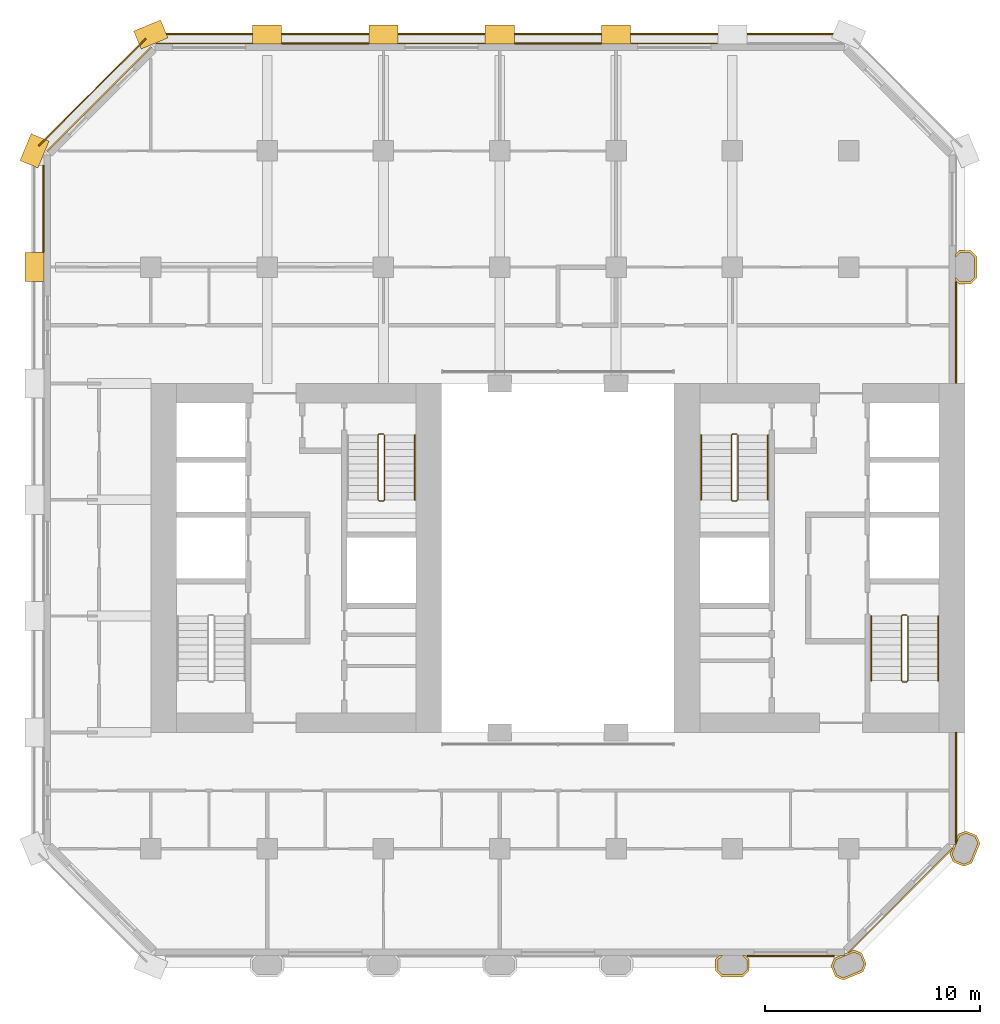
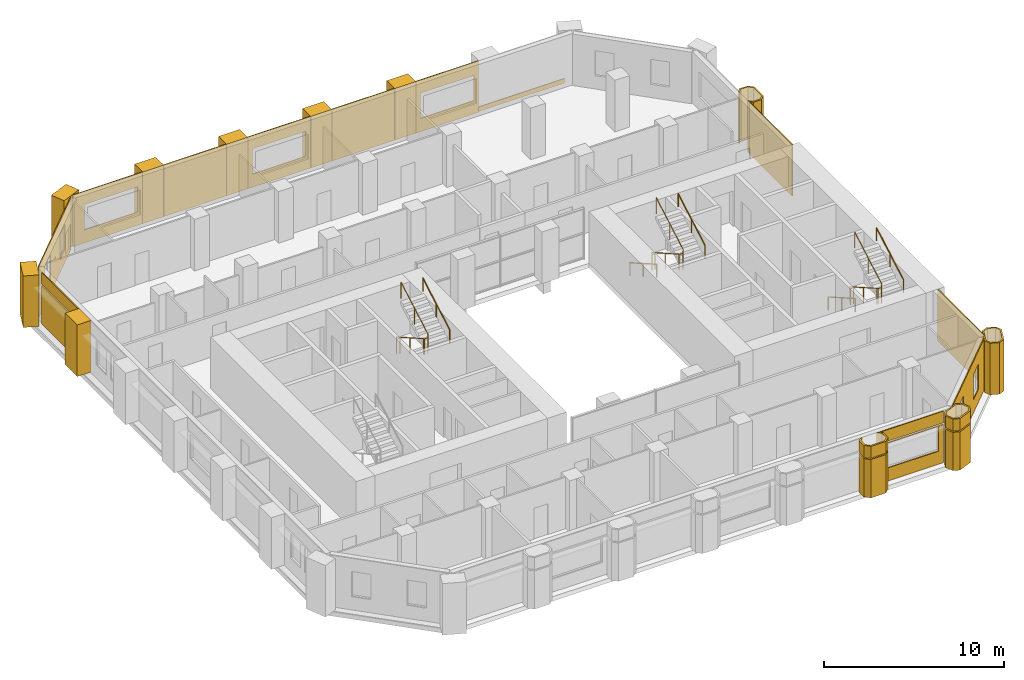
# One storey, part 12 of 13: 28 coverings, 8 railings.
"""IFC4 building model written with IfcOpenShell, lengths in metres."""

from ifc_helpers import new_model, si_unit, direction, frame, frame_2d, origin, origin_2d, place, context, subcontext, project, spatial, polyline, rectangle, circle, outline, extrude, material, layer, layer_set, type_object, element, save


model = new_model("IFC4")

# Units and contexts
model_context = context("Model", 3, precision=1e-05, world=origin(), true_north=direction((0.0, 1.0)))
body_context = subcontext(model_context, "Body", "Model", "MODEL_VIEW")
ifc_project = project(units=[si_unit("LENGTHUNIT", "METRE"), si_unit("AREAUNIT", "SQUARE_METRE"), si_unit("VOLUMEUNIT", "CUBIC_METRE"), si_unit("PLANEANGLEUNIT", "RADIAN"), si_unit("MASSUNIT", "GRAM", prefix="KILO")], contexts=[model_context])

# Site, building, storey
site_placement = place(None, origin())
site = spatial("IfcSite", under=ifc_project, at=site_placement, CompositionType="ELEMENT")
building_placement = place(site_placement, origin())
building = spatial("IfcBuilding", under=site, at=building_placement, Name="Tabaq Tower and Sports Hall", CompositionType="ELEMENT")
storey_placement = place(building_placement, frame((0.0, 0.0, 106.800048828125)))
storey = spatial("IfcBuildingStorey", under=building, at=storey_placement, Name="L25", CompositionType="ELEMENT", Elevation=106.800048828125)

# Coverings
ifc_material_1 = material(Name="Precast concrete C60/75", Category="concrete")
ifc_layer_1 = layer(ifc_material_1, 0.10009765625)
ifc_layer_set_1 = layer_set([ifc_layer_1], Name="Column cladding 100")
covering_type_1 = type_object("IfcCoveringType", Name="Column cladding 100", PredefinedType="CLADDING", material=ifc_layer_set_1)
covering_1_placement = place(storey_placement, origin())
element("IfcCovering", 1, at=covering_1_placement, inside=storey, type_object=covering_type_1, Name="Column cladding L25 PC-7B-O3", PredefinedType="CLADDING", context=body_context, shape_type="SweptSolid", body=[
    extrude(outline(polyline([(31.625244140625, 5.666259765625), (31.80859375, 5.849609375), (31.94921875, 5.849609375), (31.724609375, 5.625244140625), (31.724609375, 5.1748046875), (31.949951171875, 4.94970703125), (32.85009765625, 4.94970703125), (33.0751953125, 5.1748046875), (33.0751953125, 5.625244140625), (32.850830078125, 5.849609375), (32.9912109375, 5.849609375), (33.1748046875, 5.666259765625), (33.1748046875, 5.1337890625), (32.891357421875, 4.850341796875), (31.90869140625, 4.850341796875), (31.625244140625, 5.1337890625), (31.625244140625, 5.666259765625)])), origin(), (0.0, 0.0, 1.0), 2.599853515625),
])
covering_2_placement = place(storey_placement, frame((0.0, 0.0, 2.699951171875)))
element("IfcCovering", 2, at=covering_2_placement, inside=storey, type_object=covering_type_1, Name="Column cladding L25 PC-7B-O3 2", PredefinedType="CLADDING", context=body_context, shape_type="SweptSolid", body=[
    extrude(outline(polyline([(31.625244140625, 5.666259765625), (31.80859375, 5.849609375), (31.94921875, 5.849609375), (31.724609375, 5.625244140625), (31.724609375, 5.1748046875), (31.949951171875, 4.94970703125), (32.85009765625, 4.94970703125), (33.0751953125, 5.1748046875), (33.0751953125, 5.625244140625), (32.850830078125, 5.849609375), (32.9912109375, 5.849609375), (33.1748046875, 5.666259765625), (33.1748046875, 5.1337890625), (32.891357421875, 4.850341796875), (31.90869140625, 4.850341796875), (31.625244140625, 5.1337890625), (31.625244140625, 5.666259765625)])), origin(), (0.0, 0.0, 1.0), 0.800048828125),
])
covering_3_placement = place(storey_placement, origin())
element("IfcCovering", 3, at=covering_3_placement, inside=storey, type_object=covering_type_1, Name="Column cladding L25 PC-8B-O3", PredefinedType="CLADDING", context=body_context, shape_type="SweptSolid", body=[
    extrude(outline(polyline([(36.982421875, 5.349609375), (37.1357421875, 5.7197265625), (37.44921875, 5.849609375), (37.614013671875, 5.849609375), (37.614013671875, 5.91796875), (37.767578125, 5.9814453125), (37.799072265625, 5.9501953125), (37.875, 6.026123046875), (38.04345703125, 6.095947265625), (38.413818359375, 5.9423828125), (38.61767578125, 5.450439453125), (38.46435546875, 5.080078125), (37.556396484375, 4.7041015625), (37.186279296875, 4.857421875), (36.982421875, 5.349609375)]), holes=[polyline([(38.510009765625, 5.450439453125), (38.337646484375, 5.866455078125), (38.04345703125, 5.98828125), (37.2119140625, 5.643798828125), (37.08984375, 5.349609375), (37.26220703125, 4.93359375), (37.556396484375, 4.811767578125), (38.38818359375, 5.15625), (38.510009765625, 5.450439453125)])]), origin(), (0.0, 0.0, 1.0), 2.599853515625),
])
covering_4_placement = place(storey_placement, frame((0.0, 0.0, 2.699951171875)))
element("IfcCovering", 4, at=covering_4_placement, inside=storey, type_object=covering_type_1, Name="Column cladding L25 PC-8B-O3 2", PredefinedType="CLADDING", context=body_context, shape_type="SweptSolid", body=[
    extrude(outline(polyline([(36.982421875, 5.349609375), (37.1357421875, 5.7197265625), (37.44921875, 5.849609375), (37.614013671875, 5.849609375), (37.614013671875, 5.91796875), (37.767578125, 5.9814453125), (37.799072265625, 5.9501953125), (37.875, 6.026123046875), (38.04345703125, 6.095947265625), (38.413818359375, 5.9423828125), (38.61767578125, 5.450439453125), (38.46435546875, 5.080078125), (37.556396484375, 4.7041015625), (37.186279296875, 4.857421875), (36.982421875, 5.349609375)]), holes=[polyline([(38.510009765625, 5.450439453125), (38.337646484375, 5.866455078125), (38.04345703125, 5.98828125), (37.2119140625, 5.643798828125), (37.08984375, 5.349609375), (37.26220703125, 4.93359375), (37.556396484375, 4.811767578125), (38.38818359375, 5.15625), (38.510009765625, 5.450439453125)])]), origin(), (0.0, 0.0, 1.0), 0.800048828125),
])
covering_5_placement = place(storey_placement, origin())
element("IfcCovering", 5, at=covering_5_placement, inside=storey, type_object=covering_type_1, Name="Column cladding L25 PC-9C-O3", PredefinedType="CLADDING", context=body_context, shape_type="SweptSolid", body=[
    extrude(outline(polyline([(42.657470703125, 10.186279296875), (42.504150390625, 10.556396484375), (42.573974609375, 10.72509765625), (42.64990234375, 10.801025390625), (42.618408203125, 10.83251953125), (42.68212890625, 10.986083984375), (42.750244140625, 10.986083984375), (42.750244140625, 11.04296875), (42.810302734375, 11.04296875), (42.810302734375, 11.295654296875), (42.880126953125, 11.46435546875), (43.25048828125, 11.61767578125), (43.742431640625, 11.413818359375), (43.895751953125, 11.04345703125), (43.519775390625, 10.1357421875), (43.149658203125, 9.982421875), (42.657470703125, 10.186279296875)]), holes=[polyline([(43.66650390625, 11.337646484375), (43.25048828125, 11.510009765625), (42.956298828125, 11.38818359375), (42.61181640625, 10.556396484375), (42.733642578125, 10.26220703125), (43.149658203125, 10.08984375), (43.44384765625, 10.2119140625), (43.788330078125, 11.04345703125), (43.66650390625, 11.337646484375)])]), origin(), (0.0, 0.0, 1.0), 3.5),
])
covering_6_placement = place(storey_placement, origin())
element("IfcCovering", 6, at=covering_6_placement, inside=storey, type_object=covering_type_1, Name="Column cladding L25 PC-9H-O3", PredefinedType="CLADDING", context=body_context, shape_type="SweptSolid", body=[
    extrude(outline(polyline([(42.93359375, 37.025390625), (42.750244140625, 37.208740234375), (42.750244140625, 37.349365234375), (42.974853515625, 37.124755859375), (43.425048828125, 37.124755859375), (43.650390625, 37.349853515625), (43.650390625, 38.250244140625), (43.425048828125, 38.475341796875), (42.974853515625, 38.475341796875), (42.750244140625, 38.250732421875), (42.750244140625, 38.391357421875), (42.93359375, 38.57470703125), (43.46630859375, 38.57470703125), (43.749755859375, 38.291259765625), (43.749755859375, 37.30859375), (43.46630859375, 37.025390625), (42.93359375, 37.025390625)])), origin(), (0.0, 0.0, 1.0), 3.5),
])
ifc_material_2 = material(Name="Precast concrete C60/75", Category="concrete")
ifc_layer_2 = layer(ifc_material_2, 0.06005859375)
ifc_layer_set_2 = layer_set([ifc_layer_2], Name="Edge beam cladding 60")
covering_type_2 = type_object("IfcCoveringType", Name="Edge beam cladding 60", PredefinedType="CLADDING", material=ifc_layer_set_2)
covering_7_placement = place(storey_placement, frame((37.50146484375, 48.6298828125, -0.300048828125), z_axis=(0.0, 0.0, 1.0), x_axis=(-1.0, 0.0, 0.0)))
element("IfcCovering", 7, at=covering_7_placement, inside=storey, type_object=covering_type_2, Name="Edge beam cladding L25 2", PredefinedType="CLADDING", context=body_context, shape_type="SweptSolid", body=[
    extrude(rectangle(XDim=31.802978515625, YDim=0.06005859375, at=frame_2d((15.9013671875, 0.0))), origin(), (0.0, 0.0, 1.0), 0.300048828125),
])
covering_8_placement = place(storey_placement, frame((5.167724609375, 48.41015625, -0.300048828125), z_axis=(0.0, 0.0, 1.0), x_axis=(-0.707106781187, -0.707106781187, 0.0)))
element("IfcCovering", 8, at=covering_8_placement, inside=storey, type_object=covering_type_2, Name="Edge beam cladding L25 3", PredefinedType="CLADDING", context=body_context, shape_type="SweptSolid", body=[
    extrude(rectangle(XDim=7.03955078125, YDim=0.06005859375, at=frame_2d((3.519775390625, 0.0))), origin(), (0.0, 0.0, 1.0), 0.300048828125),
])
ifc_material_3 = material(Name="White precast concrete C60/75", Category="concrete")
covering_type_3 = type_object("IfcCoveringType", Name="Pier cladding hung 1350x900", PredefinedType="CLADDING", material=ifc_material_3)
for number, where, z_axis, x_axis, name in (
    (9, (0.0, 38.47509765625, 0.0), (0.0, 0.0, 1.0), (0.0, -1.0, 0.0), "Hung pier cladding 0/7"),
    (10, (0.25830078125, 43.82373046875, 0.0), (0.0, 0.0, 1.0), (-0.382649923473, -0.923893411637, 0.0), "Hung pier cladding 0/8"),
    (11, (6.023681640625, 48.8583984375, 0.0), (0.0, 0.0, 1.0), (-0.923893411637, -0.382649923473, 0.0), "Hung pier cladding 1/9"),
    (12, (11.47509765625, 48.60009765625, 0.0), (0.0, 0.0, 1.0), (-1.0, 0.0, 0.0), "Hung pier cladding 2/9"),
    (13, (16.875, 48.60009765625, 0.0), (0.0, 0.0, 1.0), (-1.0, 0.0, 0.0), "Hung pier cladding 3/9"),
):
    element("IfcCovering", number, at=place(storey_placement, frame(where, z_axis=z_axis, x_axis=x_axis)), inside=storey, type_object=covering_type_3, Name=name, PredefinedType="CLADDING", context=body_context, shape_type="SweptSolid", body=[
        extrude(rectangle(XDim=1.35009765625, YDim=0.89990234375, at=frame_2d((0.675048828125, 0.0))), origin(), (0.0, 0.0, 1.0), 3.5),
    ])
covering_9_placement = place(storey_placement, frame((22.27490234375, 48.60009765625, 0.0), z_axis=(0.0, 0.0, 1.0), x_axis=(-1.0, 0.0, 0.0)))
element("IfcCovering", 14, at=covering_9_placement, inside=storey, type_object=covering_type_3, Name="Hung pier cladding 4/9", PredefinedType="CLADDING", context=body_context, shape_type="SweptSolid", body=[
    extrude(rectangle(XDim=1.349853515625, YDim=0.89990234375, at=frame_2d((0.6748046875, 0.0))), origin(), (0.0, 0.0, 1.0), 3.5),
])
covering_10_placement = place(storey_placement, frame((27.675048828125, 48.60009765625, 0.0), z_axis=(0.0, 0.0, 1.0), x_axis=(-1.0, 0.0, 0.0)))
element("IfcCovering", 15, at=covering_10_placement, inside=storey, type_object=covering_type_3, Name="Hung pier cladding 5/9", PredefinedType="CLADDING", context=body_context, shape_type="SweptSolid", body=[
    extrude(rectangle(XDim=1.35009765625, YDim=0.89990234375, at=frame_2d((0.675048828125, 0.0))), origin(), (0.0, 0.0, 1.0), 3.5),
])

# Railings
ifc_material_4 = material(Name="Stainless steel", Category="steel")
railing_type_1 = type_object("IfcRailingType", Name="Stair guard", PredefinedType="GUARDRAIL", material=ifc_material_4)
railing_1_placement = place(storey_placement, frame((16.199951171875, 30.050048828125, 0.0)))
element("IfcRailing", 16, at=railing_1_placement, inside=storey, type_object=railing_type_1, Name="L25 ST2 stair guard 1", PredefinedType="GUARDRAIL", context=body_context, shape_type="SweptSolid", body=[
    extrude(circle(Radius=0.02392578125, at=origin_2d()), frame((0.0, 0.0, 1.076171875), z_axis=(-1.0, 0.0, 0.0), x_axis=(0.0, -1.0, 0.0)), (0.0, 0.0, 1.0), 0.199951171875),
    extrude(circle(Radius=0.02392578125, at=origin_2d()), frame((-0.199951171875, 0.0, 1.076171875), z_axis=(-0.246910188598, -0.246910188598, 0.937054276727), x_axis=(0.707106781187, -0.707106781187, 0.0)), (0.0, 0.0, 1.0), 0.20263671875),
    extrude(circle(Radius=0.02392578125, at=origin_2d()), frame((-0.25, -0.050048828125, 1.26611328125), z_axis=(0.0, -0.868782136927, 0.495194505781), x_axis=(1.0, 0.0, 0.0)), (0.0, 0.0, 1.0), 3.453125),
    extrude(circle(Radius=0.02392578125, at=origin_2d()), frame((-0.25, -3.050048828125, 2.97607421875), z_axis=(0.707106781187, -0.707106781187, 0.0), x_axis=(0.707106781187, 0.707106781187, 0.0)), (0.0, 0.0, 1.0), 0.07080078125),
    extrude(circle(Radius=0.02392578125, at=origin_2d()), frame((-0.199951171875, -3.10009765625, 2.97607421875), z_axis=(1.0, 0.0, 0.0), x_axis=(0.0, 1.0, 0.0)), (0.0, 0.0, 1.0), 0.199951171875),
    extrude(circle(Radius=0.02392578125, at=origin_2d()), frame((0.0, -3.10009765625, 2.97607421875), z_axis=(0.246910188598, 0.246910188598, 0.937054276727), x_axis=(-0.707106781187, 0.707106781187, 0.0)), (0.0, 0.0, 1.0), 0.20263671875),
    extrude(circle(Radius=0.02392578125, at=origin_2d()), frame((0.050048828125, -3.050048828125, 3.166015625), z_axis=(0.0, 0.868751719353, 0.495247867356), x_axis=(-1.0, 0.0, 0.0)), (0.0, 0.0, 1.0), 3.453125),
    extrude(circle(Radius=0.02099609375, at=origin_2d()), origin(), (0.0, 0.0, 1.0), 1.052001953125),
    extrude(circle(Radius=0.02099609375, at=origin_2d()), frame((-0.199951171875, 0.0, 0.0)), (0.0, 0.0, 1.0), 1.052001953125),
    extrude(circle(Radius=0.02099609375, at=origin_2d()), frame((-0.25, -0.050048828125, 0.18994140625)), (0.0, 0.0, 1.0), 1.052001953125),
    extrude(circle(Radius=0.02099609375, at=origin_2d()), frame((-0.25, -1.550048828125, 1.044921875)), (0.0, 0.0, 1.0), 1.052001953125),
    extrude(circle(Radius=0.02099609375, at=origin_2d()), frame((-0.25, -3.050048828125, 1.89990234375)), (0.0, 0.0, 1.0), 1.052001953125),
    extrude(circle(Radius=0.02099609375, at=origin_2d()), frame((-0.199951171875, -3.10009765625, 1.89990234375)), (0.0, 0.0, 1.0), 1.052001953125),
    extrude(circle(Radius=0.02099609375, at=origin_2d()), frame((0.0, -3.10009765625, 1.89990234375)), (0.0, 0.0, 1.0), 1.052001953125),
    extrude(circle(Radius=0.02099609375, at=origin_2d()), frame((0.050048828125, -3.050048828125, 2.08984375)), (0.0, 0.0, 1.0), 1.052001953125),
    extrude(circle(Radius=0.02099609375, at=origin_2d()), frame((0.050048828125, -1.550048828125, 2.94482421875)), (0.0, 0.0, 1.0), 1.052001953125),
    extrude(circle(Radius=0.02099609375, at=origin_2d()), frame((0.050048828125, -0.050048828125, 3.800048828125)), (0.0, 0.0, 1.0), 1.052001953125),
])
railing_2_placement = place(storey_placement, frame((40.5, 21.64990234375, 0.0)))
element("IfcRailing", 17, at=railing_2_placement, inside=storey, type_object=railing_type_1, Name="L25 ST3 stair guard 1", PredefinedType="GUARDRAIL", context=body_context, shape_type="SweptSolid", body=[
    extrude(circle(Radius=0.02392578125, at=origin_2d()), frame((0.0, 0.0, 1.076171875), z_axis=(-1.0, 0.0, 0.0), x_axis=(0.0, -1.0, 0.0)), (0.0, 0.0, 1.0), 0.199951171875),
    extrude(circle(Radius=0.02392578125, at=origin_2d()), frame((-0.199951171875, 0.0, 1.076171875), z_axis=(-0.246983470365, -0.245778672949, 0.937332389972), x_axis=(0.705375805398, -0.708833529934, 0.0)), (0.0, 0.0, 1.0), 0.20263671875),
    extrude(circle(Radius=0.02392578125, at=origin_2d()), frame((-0.25, -0.0498046875, 1.26611328125), z_axis=(0.0, -0.868782136927, 0.495194505781), x_axis=(1.0, 0.0, 0.0)), (0.0, 0.0, 1.0), 3.453125),
    extrude(circle(Radius=0.02392578125, at=origin_2d()), frame((-0.25, -3.0498046875, 2.97607421875), z_axis=(0.707106781187, -0.707106781187, 0.0), x_axis=(0.707106781187, 0.707106781187, 0.0)), (0.0, 0.0, 1.0), 0.07080078125),
    extrude(circle(Radius=0.02392578125, at=origin_2d()), frame((-0.199951171875, -3.099853515625, 2.97607421875), z_axis=(1.0, 0.0, 0.0), x_axis=(0.0, 1.0, 0.0)), (0.0, 0.0, 1.0), 0.199951171875),
    extrude(circle(Radius=0.02392578125, at=origin_2d()), frame((0.0, -3.099853515625, 2.97607421875), z_axis=(0.246910188598, 0.246910188598, 0.937054276727), x_axis=(-0.707106781187, 0.707106781187, 0.0)), (0.0, 0.0, 1.0), 0.20263671875),
    extrude(circle(Radius=0.02392578125, at=origin_2d()), frame((0.050048828125, -3.0498046875, 3.166015625), z_axis=(0.0, 0.868751719353, 0.495247867356), x_axis=(-1.0, 0.0, 0.0)), (0.0, 0.0, 1.0), 3.453125),
    extrude(circle(Radius=0.02099609375, at=origin_2d()), origin(), (0.0, 0.0, 1.0), 1.052001953125),
    extrude(circle(Radius=0.02099609375, at=origin_2d()), frame((-0.199951171875, 0.0, 0.0)), (0.0, 0.0, 1.0), 1.052001953125),
    extrude(circle(Radius=0.02099609375, at=origin_2d()), frame((-0.25, -0.0498046875, 0.18994140625)), (0.0, 0.0, 1.0), 1.052001953125),
    extrude(circle(Radius=0.02099609375, at=origin_2d()), frame((-0.25, -1.5498046875, 1.044921875)), (0.0, 0.0, 1.0), 1.052001953125),
    extrude(circle(Radius=0.02099609375, at=origin_2d()), frame((-0.25, -3.0498046875, 1.89990234375)), (0.0, 0.0, 1.0), 1.052001953125),
    extrude(circle(Radius=0.02099609375, at=origin_2d()), frame((-0.199951171875, -3.099853515625, 1.89990234375)), (0.0, 0.0, 1.0), 1.052001953125),
    extrude(circle(Radius=0.02099609375, at=origin_2d()), frame((0.0, -3.099853515625, 1.89990234375)), (0.0, 0.0, 1.0), 1.052001953125),
    extrude(circle(Radius=0.02099609375, at=origin_2d()), frame((0.050048828125, -3.0498046875, 2.08984375)), (0.0, 0.0, 1.0), 1.052001953125),
    extrude(circle(Radius=0.02099609375, at=origin_2d()), frame((0.050048828125, -1.5498046875, 2.94482421875)), (0.0, 0.0, 1.0), 1.052001953125),
    extrude(circle(Radius=0.02099609375, at=origin_2d()), frame((0.050048828125, -0.0498046875, 3.800048828125)), (0.0, 0.0, 1.0), 1.052001953125),
])
railing_3_placement = place(storey_placement, frame((32.60009765625, 30.050048828125, 0.0)))
element("IfcRailing", 18, at=railing_3_placement, inside=storey, type_object=railing_type_1, Name="L25 ST4 stair guard 1", PredefinedType="GUARDRAIL", context=body_context, shape_type="SweptSolid", body=[
    extrude(circle(Radius=0.02392578125, at=origin_2d()), frame((0.0, 0.0, 1.076171875), z_axis=(-1.0, 0.0, 0.0), x_axis=(0.0, -1.0, 0.0)), (0.0, 0.0, 1.0), 0.2001953125),
    extrude(circle(Radius=0.02392578125, at=origin_2d()), frame((-0.2001953125, 0.0, 1.076171875), z_axis=(-0.245778672949, -0.246983470365, 0.937332389972), x_axis=(0.708833529934, -0.705375805398, 0.0)), (0.0, 0.0, 1.0), 0.20263671875),
    extrude(circle(Radius=0.02392578125, at=origin_2d()), frame((-0.25, -0.050048828125, 1.26611328125), z_axis=(0.0, -0.868782136927, 0.495194505781), x_axis=(1.0, 0.0, 0.0)), (0.0, 0.0, 1.0), 3.453125),
    extrude(circle(Radius=0.02392578125, at=origin_2d()), frame((-0.25, -3.050048828125, 2.97607421875), z_axis=(0.705375805398, -0.708833529934, 0.0), x_axis=(0.708833529934, 0.705375805398, 0.0)), (0.0, 0.0, 1.0), 0.070556640625),
    extrude(circle(Radius=0.02392578125, at=origin_2d()), frame((-0.2001953125, -3.10009765625, 2.97607421875), z_axis=(1.0, 0.0, 0.0), x_axis=(0.0, 1.0, 0.0)), (0.0, 0.0, 1.0), 0.2001953125),
    extrude(circle(Radius=0.02392578125, at=origin_2d()), frame((0.0, -3.10009765625, 2.97607421875), z_axis=(0.245778672949, 0.246983470365, 0.937332389972), x_axis=(-0.708833529934, 0.705375805398, 0.0)), (0.0, 0.0, 1.0), 0.20263671875),
    extrude(circle(Radius=0.02392578125, at=origin_2d()), frame((0.0498046875, -3.050048828125, 3.166015625), z_axis=(0.0, 0.868751719353, 0.495247867356), x_axis=(-1.0, 0.0, 0.0)), (0.0, 0.0, 1.0), 3.453125),
    extrude(circle(Radius=0.02099609375, at=origin_2d()), origin(), (0.0, 0.0, 1.0), 1.052001953125),
    extrude(circle(Radius=0.02099609375, at=origin_2d()), frame((-0.2001953125, 0.0, 0.0)), (0.0, 0.0, 1.0), 1.052001953125),
    extrude(circle(Radius=0.02099609375, at=origin_2d()), frame((-0.25, -0.050048828125, 0.18994140625)), (0.0, 0.0, 1.0), 1.052001953125),
    extrude(circle(Radius=0.02099609375, at=origin_2d()), frame((-0.25, -1.550048828125, 1.044921875)), (0.0, 0.0, 1.0), 1.052001953125),
    extrude(circle(Radius=0.02099609375, at=origin_2d()), frame((-0.25, -3.050048828125, 1.89990234375)), (0.0, 0.0, 1.0), 1.052001953125),
    extrude(circle(Radius=0.02099609375, at=origin_2d()), frame((-0.2001953125, -3.10009765625, 1.89990234375)), (0.0, 0.0, 1.0), 1.052001953125),
    extrude(circle(Radius=0.02099609375, at=origin_2d()), frame((0.0, -3.10009765625, 1.89990234375)), (0.0, 0.0, 1.0), 1.052001953125),
    extrude(circle(Radius=0.02099609375, at=origin_2d()), frame((0.0498046875, -3.050048828125, 2.08984375)), (0.0, 0.0, 1.0), 1.052001953125),
    extrude(circle(Radius=0.02099609375, at=origin_2d()), frame((0.0498046875, -1.550048828125, 2.94482421875)), (0.0, 0.0, 1.0), 1.052001953125),
    extrude(circle(Radius=0.02099609375, at=origin_2d()), frame((0.0498046875, -0.050048828125, 3.800048828125)), (0.0, 0.0, 1.0), 1.052001953125),
])
ifc_material_5 = material(Name="Stainless steel", Category="steel")
railing_type_2 = type_object("IfcRailingType", Name="Stair handrail", PredefinedType="HANDRAIL", material=ifc_material_5)
railing_4_placement = place(storey_placement, frame((17.64990234375, 27.0, 2.08984375)))
element("IfcRailing", 19, at=railing_4_placement, inside=storey, type_object=railing_type_2, Name="L25 ST2 stair handrail 2", PredefinedType="HANDRAIL", context=body_context, shape_type="SweptSolid", body=[
    extrude(circle(Radius=0.02392578125, at=origin_2d()), frame((0.0, 0.0, 0.8759765625), z_axis=(0.0, 0.868751719353, 0.495247867356), x_axis=(-1.0, 0.0, 0.0)), (0.0, 0.0, 1.0), 3.453125),
    extrude(circle(Radius=0.02099609375, at=origin_2d()), origin(), (0.0, 0.0, 1.0), 0.851806640625),
    extrude(circle(Radius=0.02099609375, at=origin_2d()), frame((0.0, 1.5, 0.85498046875)), (0.0, 0.0, 1.0), 0.851806640625),
    extrude(circle(Radius=0.02099609375, at=origin_2d()), frame((0.0, 3.0, 1.710205078125)), (0.0, 0.0, 1.0), 0.851806640625),
])
railing_5_placement = place(storey_placement, frame((38.85009765625, 21.60009765625, 0.18994140625)))
element("IfcRailing", 20, at=railing_5_placement, inside=storey, type_object=railing_type_2, Name="L25 ST3 stair handrail 1", PredefinedType="HANDRAIL", context=body_context, shape_type="SweptSolid", body=[
    extrude(circle(Radius=0.02392578125, at=origin_2d()), frame((0.0, 0.0, 0.8759765625), z_axis=(0.0, -0.868782136927, 0.495194505781), x_axis=(1.0, 0.0, 0.0)), (0.0, 0.0, 1.0), 3.453125),
    extrude(circle(Radius=0.02099609375, at=origin_2d()), origin(), (0.0, 0.0, 1.0), 0.851806640625),
    extrude(circle(Radius=0.02099609375, at=origin_2d()), frame((0.0, -1.5, 0.85498046875)), (0.0, 0.0, 1.0), 0.851806640625),
    extrude(circle(Radius=0.02099609375, at=origin_2d()), frame((0.0, -3.0, 1.7099609375)), (0.0, 0.0, 1.0), 0.851806640625),
])
railing_6_placement = place(storey_placement, frame((41.949951171875, 18.60009765625, 2.08984375)))
element("IfcRailing", 21, at=railing_6_placement, inside=storey, type_object=railing_type_2, Name="L25 ST3 stair handrail 2", PredefinedType="HANDRAIL", context=body_context, shape_type="SweptSolid", body=[
    extrude(circle(Radius=0.02392578125, at=origin_2d()), frame((0.0, 0.0, 0.8759765625), z_axis=(0.0, 0.868751719353, 0.495247867356), x_axis=(-1.0, 0.0, 0.0)), (0.0, 0.0, 1.0), 3.453125),
    extrude(circle(Radius=0.02099609375, at=origin_2d()), origin(), (0.0, 0.0, 1.0), 0.851806640625),
    extrude(circle(Radius=0.02099609375, at=origin_2d()), frame((0.0, 1.5, 0.85498046875)), (0.0, 0.0, 1.0), 0.851806640625),
    extrude(circle(Radius=0.02099609375, at=origin_2d()), frame((0.0, 3.0, 1.710205078125)), (0.0, 0.0, 1.0), 0.851806640625),
])
railing_7_placement = place(storey_placement, frame((30.949951171875, 30.0, 0.18994140625)))
element("IfcRailing", 22, at=railing_7_placement, inside=storey, type_object=railing_type_2, Name="L25 ST4 stair handrail 1", PredefinedType="HANDRAIL", context=body_context, shape_type="SweptSolid", body=[
    extrude(circle(Radius=0.02392578125, at=origin_2d()), frame((0.0, 0.0, 0.8759765625), z_axis=(0.0, -0.868782136927, 0.495194505781), x_axis=(1.0, 0.0, 0.0)), (0.0, 0.0, 1.0), 3.453125),
    extrude(circle(Radius=0.02099609375, at=origin_2d()), origin(), (0.0, 0.0, 1.0), 0.851806640625),
    extrude(circle(Radius=0.02099609375, at=origin_2d()), frame((0.0, -1.5, 0.85498046875)), (0.0, 0.0, 1.0), 0.851806640625),
    extrude(circle(Radius=0.02099609375, at=origin_2d()), frame((0.0, -3.0, 1.7099609375)), (0.0, 0.0, 1.0), 0.851806640625),
])
railing_8_placement = place(storey_placement, frame((34.050048828125, 27.0, 2.08984375)))
element("IfcRailing", 23, at=railing_8_placement, inside=storey, type_object=railing_type_2, Name="L25 ST4 stair handrail 2", PredefinedType="HANDRAIL", context=body_context, shape_type="SweptSolid", body=[
    extrude(circle(Radius=0.02392578125, at=origin_2d()), frame((0.0, 0.0, 0.8759765625), z_axis=(0.0, 0.868751719353, 0.495247867356), x_axis=(-1.0, 0.0, 0.0)), (0.0, 0.0, 1.0), 3.453125),
    extrude(circle(Radius=0.02099609375, at=origin_2d()), origin(), (0.0, 0.0, 1.0), 0.851806640625),
    extrude(circle(Radius=0.02099609375, at=origin_2d()), frame((0.0, 1.5, 0.85498046875)), (0.0, 0.0, 1.0), 0.851806640625),
    extrude(circle(Radius=0.02099609375, at=origin_2d()), frame((0.0, 3.0, 1.710205078125)), (0.0, 0.0, 1.0), 0.851806640625),
])

# Coverings
ifc_material_6 = material(Name="Precast concrete C60/75", Category="concrete")
ifc_layer_3 = layer(ifc_material_6, 0.06005859375)
ifc_layer_set_3 = layer_set([ifc_layer_3], Name="White precast cladding panel 60 C60/75")
covering_type_4 = type_object("IfcCoveringType", Name="White precast cladding panel 60 C60/75", PredefinedType="CLADDING", material=ifc_layer_set_3)
covering_11_placement = place(storey_placement, frame((33.0849609375, 5.820068359375, 0.0), z_axis=(0.0, 0.0, 1.0), x_axis=(1.0, 0.0, 0.0)))
element("IfcCovering", 24, at=covering_11_placement, inside=storey, type_object=covering_type_4, Name="White precast cladding panel L25 wall00 11", PredefinedType="CLADDING", context=body_context, shape_type="SweptSolid", body=[
    extrude(outline(polyline([(0.0, 0.0), (4.050048828125, 0.0), (4.050048828125, 2.58984375), (0.0, 2.58984375), (0.0, 0.0)]), holes=[polyline([(3.72509765625, 0.889892578125), (0.304931640625, 0.889892578125), (0.304931640625, 2.56005859375), (3.72509765625, 2.56005859375), (3.72509765625, 0.889892578125)])]), frame((0.0, 0.030029296875, 0.0), z_axis=(0.0, -1.0, 0.0), x_axis=(1.0, 0.0, 0.0)), (0.0, 0.0, 1.0), 0.06005859375),
])
covering_12_placement = place(storey_placement, frame((33.0849609375, 5.820068359375, 2.7099609375), z_axis=(0.0, 0.0, 1.0), x_axis=(1.0, 0.0, 0.0)))
element("IfcCovering", 25, at=covering_12_placement, inside=storey, type_object=covering_type_4, Name="White precast cladding panel L25 wall00 12", PredefinedType="CLADDING", context=body_context, shape_type="SweptSolid", body=[
    extrude(rectangle(XDim=4.050048828125, YDim=0.06005859375, at=frame_2d((2.02490234375, 0.0))), origin(), (0.0, 0.0, 1.0), 0.7900390625),
])
covering_13_placement = place(storey_placement, frame((37.77783203125, 5.9716796875, 0.0), z_axis=(0.0, 0.0, 1.0), x_axis=(0.707088985397, 0.707124576528, 0.0)))
element("IfcCovering", 26, at=covering_13_placement, inside=storey, type_object=covering_type_4, Name="White precast cladding panel L25 wall01", PredefinedType="CLADDING", context=body_context, shape_type="SweptSolid", body=[
    extrude(outline(polyline([(0.0, 0.0), (6.859619140625, 0.0), (6.859619140625, 3.5), (0.0, 3.5), (0.0, 0.0)]), holes=[polyline([(1.269775390625, 2.60986328125), (2.389892578125, 2.60986328125), (2.389892578125, 0.889892578125), (1.269775390625, 0.889892578125), (1.269775390625, 2.60986328125)]), polyline([(4.4697265625, 2.60986328125), (5.58984375, 2.60986328125), (5.58984375, 0.889892578125), (4.4697265625, 0.889892578125), (4.4697265625, 2.60986328125)])]), frame((0.0, 0.030029296875, 0.0), z_axis=(0.0, -1.0, 0.0), x_axis=(1.0, 0.0, 0.0)), (0.0, 0.0, 1.0), 0.06005859375),
])
covering_14_placement = place(storey_placement, frame((42.780029296875, 11.043212890625, 0.0), z_axis=(0.0, 0.0, 1.0), x_axis=(0.0, 1.0, 0.0)))
element("IfcCovering", 27, at=covering_14_placement, inside=storey, type_object=covering_type_4, Name="White precast cladding panel L25 wall02", PredefinedType="CLADDING", context=body_context, shape_type="SweptSolid", body=[
    extrude(rectangle(XDim=5.15673828125, YDim=0.06005859375, at=frame_2d((2.578369140625, 0.0))), origin(), (0.0, 0.0, 1.0), 3.5),
])
covering_15_placement = place(storey_placement, frame((42.780029296875, 32.39990234375, 0.0), z_axis=(0.0, 0.0, 1.0), x_axis=(0.0, 1.0, 0.0)))
element("IfcCovering", 28, at=covering_15_placement, inside=storey, type_object=covering_type_4, Name="White precast cladding panel L25 wall02-1", PredefinedType="CLADDING", context=body_context, shape_type="SweptSolid", body=[
    extrude(rectangle(XDim=4.715087890625, YDim=0.06005859375, at=frame_2d((2.357421875, 0.0))), origin(), (0.0, 0.0, 1.0), 3.5),
])
covering_16_placement = place(storey_placement, frame((31.715087890625, 48.179931640625, 0.0), z_axis=(0.0, 0.0, 1.0), x_axis=(-1.0, 0.0, 0.0)))
element("IfcCovering", 29, at=covering_16_placement, inside=storey, type_object=covering_type_4, Name="White precast cladding panel L25 wall04 2", PredefinedType="CLADDING", context=body_context, shape_type="SweptSolid", body=[
    extrude(outline(polyline([(0.0, 0.0), (4.030029296875, 0.0), (4.030029296875, 3.5), (0.0, 3.5), (0.0, 0.0)]), holes=[polyline([(0.304931640625, 0.889892578125), (0.304931640625, 2.60986328125), (3.72509765625, 2.60986328125), (3.72509765625, 0.889892578125), (0.304931640625, 0.889892578125)])]), frame((0.0, 0.030029296875, 0.0), z_axis=(0.0, -1.0, 0.0), x_axis=(1.0, 0.0, 0.0)), (0.0, 0.0, 1.0), 0.06005859375),
])
covering_17_placement = place(storey_placement, frame((26.31494140625, 48.179931640625, 0.0), z_axis=(0.0, 0.0, 1.0), x_axis=(-1.0, 0.0, 0.0)))
element("IfcCovering", 30, at=covering_17_placement, inside=storey, type_object=covering_type_4, Name="White precast cladding panel L25 wall04 3", PredefinedType="CLADDING", context=body_context, shape_type="SweptSolid", body=[
    extrude(rectangle(XDim=4.030029296875, YDim=0.06005859375, at=frame_2d((2.01513671875, 0.0))), origin(), (0.0, 0.0, 1.0), 3.5),
])
covering_18_placement = place(storey_placement, frame((20.9150390625, 48.179931640625, 0.0), z_axis=(0.0, 0.0, 1.0), x_axis=(-1.0, 0.0, 0.0)))
element("IfcCovering", 31, at=covering_18_placement, inside=storey, type_object=covering_type_4, Name="White precast cladding panel L25 wall04 4", PredefinedType="CLADDING", context=body_context, shape_type="SweptSolid", body=[
    extrude(outline(polyline([(0.0, 0.0), (4.030029296875, 0.0), (4.030029296875, 3.5), (0.0, 3.5), (0.0, 0.0)]), holes=[polyline([(0.304931640625, 0.889892578125), (0.304931640625, 2.60986328125), (3.72509765625, 2.60986328125), (3.72509765625, 0.889892578125), (0.304931640625, 0.889892578125)])]), frame((0.0, 0.030029296875, 0.0), z_axis=(0.0, -1.0, 0.0), x_axis=(1.0, 0.0, 0.0)), (0.0, 0.0, 1.0), 0.06005859375),
])
covering_19_placement = place(storey_placement, frame((15.514892578125, 48.179931640625, 0.0), z_axis=(0.0, 0.0, 1.0), x_axis=(-1.0, 0.0, 0.0)))
element("IfcCovering", 32, at=covering_19_placement, inside=storey, type_object=covering_type_4, Name="White precast cladding panel L25 wall04 5", PredefinedType="CLADDING", context=body_context, shape_type="SweptSolid", body=[
    extrude(rectangle(XDim=4.02978515625, YDim=0.06005859375, at=frame_2d((2.014892578125, 0.0))), origin(), (0.0, 0.0, 1.0), 3.5),
])
covering_20_placement = place(storey_placement, frame((10.114990234375, 48.179931640625, 0.0), z_axis=(0.0, 0.0, 1.0), x_axis=(-1.0, 0.0, 0.0)))
element("IfcCovering", 33, at=covering_20_placement, inside=storey, type_object=covering_type_4, Name="White precast cladding panel L25 wall04 6", PredefinedType="CLADDING", context=body_context, shape_type="SweptSolid", body=[
    extrude(outline(polyline([(0.0, 0.0), (4.471923828125, 0.0), (4.471923828125, 3.5), (0.0, 3.5), (0.0, 0.0)]), holes=[polyline([(0.304931640625, 0.889892578125), (0.304931640625, 2.60986328125), (3.72509765625, 2.60986328125), (3.72509765625, 0.889892578125), (0.304931640625, 0.889892578125)])]), frame((0.0, 0.030029296875, 0.0), z_axis=(0.0, -1.0, 0.0), x_axis=(1.0, 0.0, 0.0)), (0.0, 0.0, 1.0), 0.06005859375),
])
covering_21_placement = place(storey_placement, frame((5.42236328125, 48.0283203125, 0.0), z_axis=(0.0, 0.0, 1.0), x_axis=(-0.707106781187, -0.707106781187, 0.0)))
element("IfcCovering", 34, at=covering_21_placement, inside=storey, type_object=covering_type_4, Name="White precast cladding panel L25 wall05", PredefinedType="CLADDING", context=body_context, shape_type="SweptSolid", body=[
    extrude(outline(polyline([(0.0, 0.0), (6.85986328125, 0.0), (6.85986328125, 3.5), (0.0, 3.5), (0.0, 0.0)]), holes=[polyline([(1.269775390625, 2.60986328125), (2.389892578125, 2.60986328125), (2.389892578125, 0.889892578125), (1.269775390625, 0.889892578125), (1.269775390625, 2.60986328125)]), polyline([(4.4697265625, 2.60986328125), (5.58984375, 2.60986328125), (5.58984375, 0.889892578125), (4.4697265625, 0.889892578125), (4.4697265625, 2.60986328125)])]), frame((0.0, 0.030029296875, 0.0), z_axis=(0.0, -1.0, 0.0), x_axis=(1.0, 0.0, 0.0)), (0.0, 0.0, 1.0), 0.06005859375),
])
covering_22_placement = place(storey_placement, frame((0.419921875, 42.534912109375, 0.0), z_axis=(0.0, 0.0, 1.0), x_axis=(0.0, -1.0, 0.0)))
element("IfcCovering", 35, at=covering_22_placement, inside=storey, type_object=covering_type_4, Name="White precast cladding panel L25 wall06", PredefinedType="CLADDING", context=body_context, shape_type="SweptSolid", body=[
    extrude(rectangle(XDim=4.0498046875, YDim=0.06005859375, at=frame_2d((2.02490234375, 0.0))), origin(), (0.0, 0.0, 1.0), 2.58984375),
])
covering_23_placement = place(storey_placement, frame((0.419921875, 42.534912109375, 2.7099609375), z_axis=(0.0, 0.0, 1.0), x_axis=(0.0, -1.0, 0.0)))
element("IfcCovering", 36, at=covering_23_placement, inside=storey, type_object=covering_type_4, Name="White precast cladding panel L25 wall06 2", PredefinedType="CLADDING", context=body_context, shape_type="SweptSolid", body=[
    extrude(rectangle(XDim=4.0498046875, YDim=0.06005859375, at=frame_2d((2.02490234375, 0.0))), origin(), (0.0, 0.0, 1.0), 0.7900390625),
])

save(model, "model.ifc")
